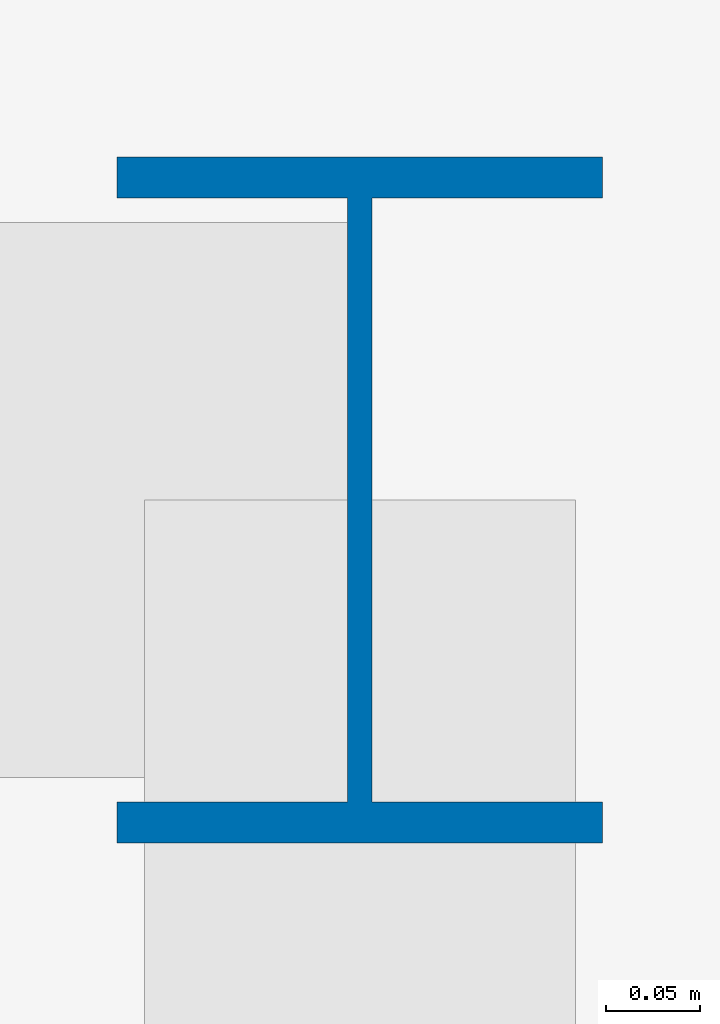
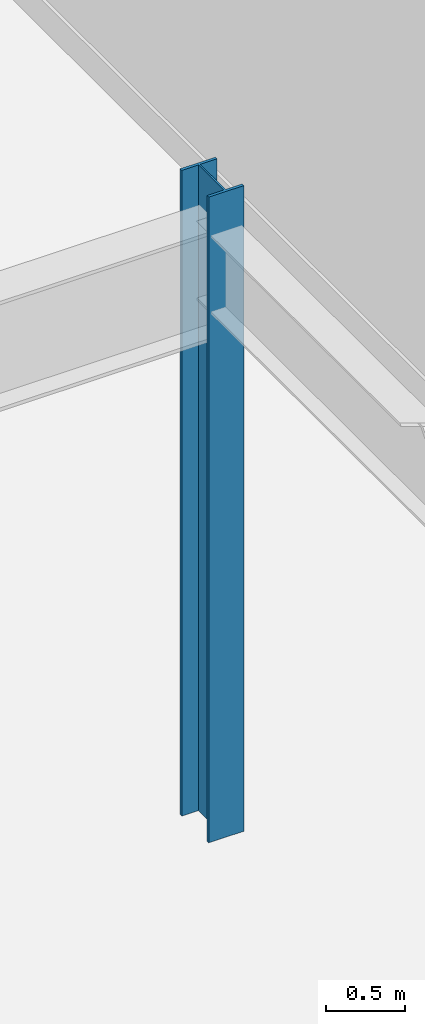
# One storey, part 5 of 39: 1 column.
"""IFC4 building model written with IfcOpenShell, lengths in metres."""

from ifc_helpers import new_model, si_unit, derived_unit, direction, frame, origin, origin_2d, place, context, subcontext, project, spatial, i_section, extrude, source, transform, mapped, material, material_profile, profile_set, type_object, element, save


model = new_model("IFC4")

# Units and contexts
model_context = context("Model", 3, precision=1e-05, world=origin(), true_north=direction((0.0, 1.0)))
body_context = subcontext(model_context, "Body", "Model", "MODEL_VIEW")
ifc_project = project(units=[si_unit("LENGTHUNIT", "METRE"), si_unit("AREAUNIT", "SQUARE_METRE"), si_unit("VOLUMEUNIT", "CUBIC_METRE"), si_unit("PLANEANGLEUNIT", "RADIAN"), si_unit("MASSUNIT", "GRAM", prefix="KILO"), derived_unit("THERMALTRANSMITTANCEUNIT", [(si_unit("POWERUNIT", "WATT"), 1), (si_unit("LENGTHUNIT", "METRE"), -2), (si_unit("THERMODYNAMICTEMPERATUREUNIT", "KELVIN"), -1)])], contexts=[model_context])

# Site, building, storey
site_placement = place(None, origin())
site = spatial("IfcSite", under=ifc_project, at=site_placement, CompositionType="ELEMENT")
building_placement = place(site_placement, origin())
building = spatial("IfcBuilding", under=site, at=building_placement, Name="Skarnbrae Concourse Arena and Tower", CompositionType="ELEMENT")
storey_placement = place(building_placement, frame((0.0, 0.0, 11.0)))
storey = spatial("IfcBuildingStorey", under=building, at=storey_placement, Name="L02", CompositionType="ELEMENT", Elevation=11.0)

# Column
ifc_material = material(Name="Steel CSA G40.21 350W", Category="steel")
ifc_material_profile = material_profile(ifc_material, i_section(OverallWidth=0.257080078125, OverallDepth=0.363037109375, WebThickness=0.012939453125, FlangeThickness=0.021728515625, at=origin_2d()), Name="W360X122")
ifc_profile_set = profile_set([ifc_material_profile], Name="Steel CSA G40.21 350W")
column_type = type_object("IfcColumnType", Name="COL-POD-W360X122", PredefinedType="COLUMN", material=ifc_profile_set)
shared_shape = source(origin(), body_context, "Body", "SweptSolid", [
    extrude(i_section(OverallWidth=0.257080078125, OverallDepth=0.363037109375, WebThickness=0.012939453125, FlangeThickness=0.021728515625, at=origin_2d()), origin(), (0.0, 0.0, 1.0), 5.0),
])
column_placement = place(storey_placement, frame((78.5, 47.0, 0.0), z_axis=(0.0, 0.0, 1.0), x_axis=(1.0, 0.0, 0.0)))
element("IfcColumn", 1, at=column_placement, inside=storey, type_object=column_type, Name="L02 Podium mega-column PC-EP4", PredefinedType="COLUMN", context=body_context, shape_type="MappedRepresentation", body=[
    mapped(shared_shape, transform((0.0, 0.0, 0.0))),
])

save(model, "model.ifc")
